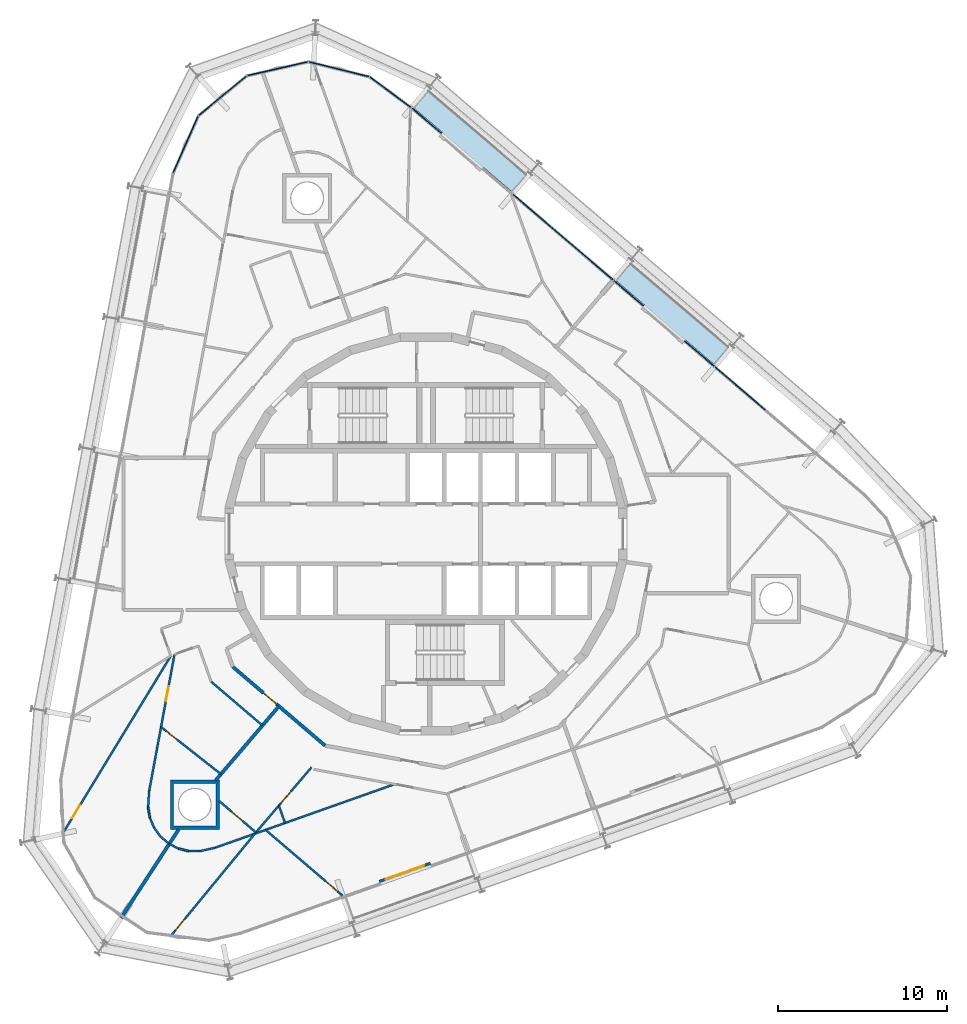
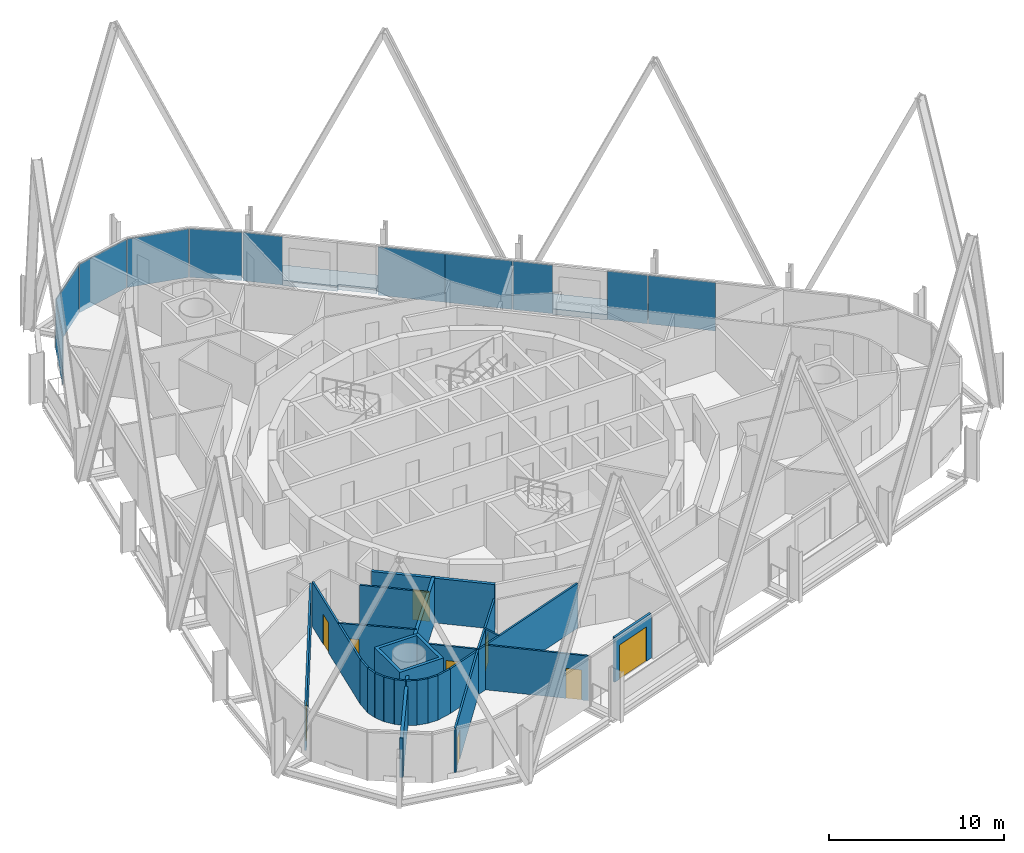
# One storey, part 10 of 17: 24 walls, 11 plates, 9 doors, 2 slabs, 9 openings, 2 elements without a shape of their own.
"""IFC4 building model written with IfcOpenShell, lengths in metres."""

from ifc_helpers import new_model, si_unit, direction, frame, frame_2d, origin, origin_2d, place, context, subcontext, project, spatial, polyline, rectangle, outline, extrude, material, layer, layer_set, type_object, element, fill, aggregate, save


model = new_model("IFC4")

# Units and contexts
model_context = context("Model", 3, precision=1e-05, world=origin(), true_north=direction((0.0, 1.0)))
body_context = subcontext(model_context, "Body", "Model", "MODEL_VIEW")
ifc_project = project(units=[si_unit("LENGTHUNIT", "METRE"), si_unit("AREAUNIT", "SQUARE_METRE"), si_unit("VOLUMEUNIT", "CUBIC_METRE"), si_unit("PLANEANGLEUNIT", "RADIAN"), si_unit("MASSUNIT", "GRAM", prefix="KILO")], contexts=[model_context])

# Site, building, storey
site_placement = place(None, origin())
site = spatial("IfcSite", under=ifc_project, at=site_placement, CompositionType="ELEMENT")
building_placement = place(site_placement, origin())
building = spatial("IfcBuilding", under=site, at=building_placement, Name="Spindle Arch Residences", CompositionType="ELEMENT")
storey_placement = place(building_placement, frame((0.0, 0.0, 165.699951171875)))
storey = spatial("IfcBuildingStorey", under=building, at=storey_placement, Name="L41", CompositionType="ELEMENT", Elevation=165.699951171875)

# Slabs
ifc_material_1 = material(Name="Concrete C40/50", Category="concrete")
ifc_layer_1 = layer(ifc_material_1, 0.3798828125)
ifc_layer_set_1 = layer_set([ifc_layer_1], Name="Balcony slab 380")
slab_type = type_object("IfcSlabType", Name="Balcony slab 380", PredefinedType="FLOOR", material=ifc_layer_set_1)
slab_1_placement = place(storey_placement, frame((0.0, 0.0, -0.3798828125)))
element("IfcSlab", 1, at=slab_1_placement, inside=storey, type_object=slab_type, Name="Balcony L41 bay 7", PredefinedType="FLOOR", context=body_context, shape_type="SweptSolid", body=[
    extrude(outline(polyline([(18.031494140625, 11.14208984375), (17.974365234375, 11.190673828125), (17.876953125, 11.07666015625), (12.128173828125, 15.986572265625), (12.2255859375, 16.1005859375), (12.168701171875, 16.1494140625), (11.200927734375, 15.016357421875), (12.915771484375, 13.5517578125), (12.811767578125, 13.43017578125), (15.2451171875, 11.351806640625), (15.34912109375, 11.4736328125), (17.063720703125, 10.009033203125), (18.031494140625, 11.14208984375)])), origin(), (0.0, 0.0, 1.0), 0.3798828125),
])
slab_2_placement = place(storey_placement, frame((0.0, 0.0, -0.3798828125)))
element("IfcSlab", 2, at=slab_2_placement, inside=storey, type_object=slab_type, Name="Balcony L41 bay 9", PredefinedType="FLOOR", context=body_context, shape_type="SweptSolid", body=[
    extrude(outline(polyline([(6.07763671875, 21.351318359375), (6.020751953125, 21.400146484375), (5.92333984375, 21.2861328125), (0.174560546875, 26.196044921875), (0.27197265625, 26.31005859375), (0.21484375, 26.358642578125), (-0.752685546875, 25.225830078125), (0.9619140625, 23.76123046875), (0.858154296875, 23.6396484375), (3.29150390625, 21.561279296875), (3.395263671875, 21.682861328125), (5.110107421875, 20.218505859375), (6.07763671875, 21.351318359375)])), origin(), (0.0, 0.0, 1.0), 0.3798828125),
])

# Curtain wall, plates
ifc_material_2 = material(Name="Aluminium bronze unitised frame with tinted glass", Category="aluminium")
ifc_layer_2 = layer(ifc_material_2, 0.159912109375)
ifc_layer_set_2 = layer_set([ifc_layer_2], Name="CW-C typical residential unitised wall")
curtain_wall_type_1 = type_object("IfcCurtainWallType", Name="CW-C typical residential unitised wall", PredefinedType="NOTDEFINED", material=ifc_layer_set_2)
curtain_wall_1_placement = place(storey_placement, origin())
curtain_wall_1 = element("IfcCurtainWall", 3, at=curtain_wall_1_placement, inside=storey, type_object=curtain_wall_type_1, Name="CW-C L41 run 2", PredefinedType="NOTDEFINED")
ifc_material_3 = material(Name="Tinted double glazing over aluminium faced non-combustible spandrel zone (K0)", Category="aluminium")
ifc_layer_3 = layer(ifc_material_3, 0.06005859375)
ifc_layer_set_3 = layer_set([ifc_layer_3], Name="Unitised glass panel with E 60 spandrel zone")
plate_type = type_object("IfcPlateType", Name="Unitised glass panel with E 60 spandrel zone", PredefinedType="CURTAIN_PANEL", material=ifc_layer_set_3)
plate_1_placement = place(storey_placement, frame((18.574462890625, 8.613525390625, -0.3798828125), z_axis=(0.0, 0.0, 1.0), x_axis=(-0.7604059656, 0.64944804833, 0.0)))
plate_1 = element("IfcPlate", 4, at=plate_1_placement, type_object=plate_type, Name="CW-C unit 05B", PredefinedType="CURTAIN_PANEL", context=body_context, shape_type="SweptSolid", body=[
    extrude(rectangle(XDim=3.900146484375, YDim=0.06005859375, at=origin_2d()), origin(), (0.0, 0.0, 1.0), 3.3798828125),
])
plate_2_placement = place(storey_placement, frame((16.171630859375, 10.665771484375, -0.3798828125), z_axis=(0.0, 0.0, 1.0), x_axis=(-0.7604059656, 0.64944804833, 0.0)))
plate_2 = element("IfcPlate", 5, at=plate_2_placement, type_object=plate_type, Name="CW-C unit 06L", PredefinedType="CURTAIN_PANEL", context=body_context, shape_type="SweptSolid", body=[
    extrude(rectangle(XDim=2.300048828125, YDim=0.06005859375, at=origin_2d()), origin(), (0.0, 0.0, 1.0), 3.3798828125),
])
plate_3_placement = place(storey_placement, frame((11.9892578125, 14.23779296875, -0.3798828125), z_axis=(0.0, 0.0, 1.0), x_axis=(-0.7604059656, 0.64944804833, 0.0)))
plate_3 = element("IfcPlate", 6, at=plate_3_placement, type_object=plate_type, Name="CW-C unit 06R", PredefinedType="CURTAIN_PANEL", context=body_context, shape_type="SweptSolid", body=[
    extrude(rectangle(XDim=2.300048828125, YDim=0.06005859375, at=origin_2d()), origin(), (0.0, 0.0, 1.0), 3.3798828125),
])
plate_4_placement = place(storey_placement, frame((9.58642578125, 16.2900390625, -0.3798828125), z_axis=(0.0, 0.0, 1.0), x_axis=(-0.7604059656, 0.64944804833, 0.0)))
plate_4 = element("IfcPlate", 7, at=plate_4_placement, type_object=plate_type, Name="CW-C unit 07A", PredefinedType="CURTAIN_PANEL", context=body_context, shape_type="SweptSolid", body=[
    extrude(rectangle(XDim=3.900146484375, YDim=0.06005859375, at=origin_2d()), origin(), (0.0, 0.0, 1.0), 3.3798828125),
])
plate_5_placement = place(storey_placement, frame((6.620849609375, 18.822998046875, -0.3798828125), z_axis=(0.0, 0.0, 1.0), x_axis=(-0.7604059656, 0.64944804833, 0.0)))
plate_5 = element("IfcPlate", 8, at=plate_5_placement, type_object=plate_type, Name="CW-C unit 07B", PredefinedType="CURTAIN_PANEL", context=body_context, shape_type="SweptSolid", body=[
    extrude(rectangle(XDim=3.900146484375, YDim=0.06005859375, at=origin_2d()), origin(), (0.0, 0.0, 1.0), 3.3798828125),
])
plate_6_placement = place(storey_placement, frame((0.03564453125, 24.447265625, -0.3798828125), z_axis=(0.0, 0.0, 1.0), x_axis=(-0.7604059656, 0.64944804833, 0.0)))
plate_6 = element("IfcPlate", 9, at=plate_6_placement, type_object=plate_type, Name="CW-C unit 08R", PredefinedType="CURTAIN_PANEL", context=body_context, shape_type="SweptSolid", body=[
    extrude(rectangle(XDim=2.300048828125, YDim=0.06005859375, at=origin_2d()), origin(), (0.0, 0.0, 1.0), 3.3798828125),
])
aggregate(curtain_wall_1, [plate_1, plate_2, plate_3, plate_4, plate_5, plate_6])

ifc_material_4 = material(Name="Aluminium bronze unitised frame with tinted glass", Category="aluminium")
ifc_layer_4 = layer(ifc_material_4, 0.159912109375)
ifc_layer_set_4 = layer_set([ifc_layer_4], Name="CW-D corner wall on the fillet arcs")
curtain_wall_type_2 = type_object("IfcCurtainWallType", Name="CW-D corner wall on the fillet arcs", PredefinedType="NOTDEFINED", material=ifc_layer_set_4)
curtain_wall_2_placement = place(storey_placement, origin())
curtain_wall_2 = element("IfcCurtainWall", 10, at=curtain_wall_2_placement, inside=storey, type_object=curtain_wall_type_2, Name="CW-D L41 run 3", PredefinedType="NOTDEFINED")
plate_7_placement = place(storey_placement, frame((-2.102294921875, 26.1298828125, -0.3798828125), z_axis=(0.0, 0.0, 1.0), x_axis=(-0.804365716131, 0.594134492109, 0.0)))
plate_7 = element("IfcPlate", 11, at=plate_7_placement, type_object=plate_type, Name="CW-D unit 00", PredefinedType="CURTAIN_PANEL", context=body_context, shape_type="SweptSolid", body=[
    extrude(rectangle(XDim=3.0244140625, YDim=0.06005859375, at=origin_2d()), origin(), (0.0, 0.0, 1.0), 3.3798828125),
])
plate_8_placement = place(storey_placement, frame((-5.152099609375, 27.49169921875, -0.3798828125), z_axis=(0.0, 0.0, 1.0), x_axis=(-0.970995342056, 0.239098401721, 0.0)))
plate_8 = element("IfcPlate", 12, at=plate_8_placement, type_object=plate_type, Name="CW-D unit 01", PredefinedType="CURTAIN_PANEL", context=body_context, shape_type="SweptSolid", body=[
    extrude(rectangle(XDim=3.666748046875, YDim=0.06005859375, at=origin_2d()), origin(), (0.0, 0.0, 1.0), 3.3798828125),
])
plate_9_placement = place(storey_placement, frame((-8.7783203125, 27.5234375, -0.3798828125), z_axis=(0.0, 0.0, 1.0), x_axis=(-0.975020297449, -0.222115779633, 0.0)))
plate_9 = element("IfcPlate", 13, at=plate_9_placement, type_object=plate_type, Name="CW-D unit 02", PredefinedType="CURTAIN_PANEL", context=body_context, shape_type="SweptSolid", body=[
    extrude(rectangle(XDim=3.666748046875, YDim=0.06005859375, at=origin_2d()), origin(), (0.0, 0.0, 1.0), 3.3798828125),
])
plate_10_placement = place(storey_placement, frame((-12.032958984375, 25.92431640625, -0.3798828125), z_axis=(0.0, 0.0, 1.0), x_axis=(-0.771624583032, -0.636078220709, 0.0)))
plate_10 = element("IfcPlate", 14, at=plate_10_placement, type_object=plate_type, Name="CW-D unit 03", PredefinedType="CURTAIN_PANEL", context=body_context, shape_type="SweptSolid", body=[
    extrude(rectangle(XDim=3.666748046875, YDim=0.06005859375, at=origin_2d()), origin(), (0.0, 0.0, 1.0), 3.3798828125),
])
plate_11_placement = place(storey_placement, frame((-14.2236328125, 23.034423828125, -0.3798828125), z_axis=(0.0, 0.0, 1.0), x_axis=(-0.404077526853, -0.914724741271, 0.0)))
plate_11 = element("IfcPlate", 15, at=plate_11_placement, type_object=plate_type, Name="CW-D unit 04", PredefinedType="CURTAIN_PANEL", context=body_context, shape_type="SweptSolid", body=[
    extrude(rectangle(XDim=3.666748046875, YDim=0.06005859375, at=origin_2d()), origin(), (0.0, 0.0, 1.0), 3.3798828125),
])
aggregate(curtain_wall_2, [plate_7, plate_8, plate_9, plate_10, plate_11])

# Wall, opening, door
ifc_material_5 = material(Name="Calcium silicate block, plastered")
ifc_layer_5 = layer(ifc_material_5, 0.199951171875)
ifc_layer_set_5 = layer_set([ifc_layer_5], Name="Corridor wall 200")
wall_type_1 = type_object("IfcWallType", Name="Corridor wall 200", PredefinedType="STANDARD", material=ifc_layer_set_5)
wall_1_placement = place(storey_placement, frame((-11.432861328125, -7.857666015625, 0.0), z_axis=(0.0, 0.0, 1.0), x_axis=(0.760412154545, -0.649440801937, 0.0)))
wall_1 = element("IfcWall", 16, at=wall_1_placement, inside=storey, type_object=wall_type_1, Name="Corridor wall R4B0-W016", PredefinedType="STANDARD", context=body_context, shape_type="SweptSolid", body=[
    extrude(rectangle(XDim=7.180908203125, YDim=0.199951171875, at=frame_2d((3.59033203125, 0.0))), origin(), (0.0, 0.0, 1.0), 3.1201171875),
])
opening_1_placement = place(wall_1_placement, frame((2.390380859375, 0.0, 0.0)))
opening_1 = element("IfcOpeningElement", 17, at=opening_1_placement, cuts=wall_1, Name="Opening R4B0-FD04", PredefinedType="OPENING", context=body_context, shape_type="SweptSolid", body=[
    extrude(rectangle(XDim=1.0, YDim=2.10009765625, at=frame_2d((0.5, 1.050048828125))), frame((0.0, 0.10986328125, 0.0), z_axis=(0.0, -1.0, 0.0), x_axis=(1.0, 0.0, 0.0)), (0.0, 0.0, 1.0), 0.219970703125),
])
ifc_material_6 = material(Name="Timber, fire-resisting door set", Category="wood")
door_type_1 = type_object("IfcDoorType", Name="Flat entrance door 1000x2100", OperationType="NOTDEFINED", PredefinedType="DOOR", material=ifc_material_6)
door_1_placement = place(opening_1_placement, origin())
door_1 = element("IfcDoor", 18, at=door_1_placement, inside=storey, type_object=door_type_1, Name="Flat entrance door R4B0-FD04", OperationType="SINGLE_SWING_RIGHT", OverallHeight=2.10009765625, OverallWidth=1.0, PredefinedType="DOOR", context=body_context, shape_type="SweptSolid", body=[
    extrude(rectangle(XDim=1.0, YDim=2.10009765625, at=frame_2d((0.5, 1.050048828125))), frame((0.0, 0.02490234375, 0.0), z_axis=(0.0, -1.0, 0.0), x_axis=(1.0, 0.0, 0.0)), (0.0, 0.0, 1.0), 0.050048828125),
])
fill(opening_1, door_1)

# Wall
ifc_material_7 = material(Name="Plasterboard on steel studs", Category="steel")
ifc_layer_6 = layer(ifc_material_7, 0.1201171875)
ifc_layer_set_6 = layer_set([ifc_layer_6], Name="Flat partition 120")
wall_type_2 = type_object("IfcWallType", Name="Flat partition 120", PredefinedType="PARTITIONING", material=ifc_layer_set_6)
wall_2_placement = place(storey_placement, frame((-12.712646484375, -8.7373046875, 0.0), z_axis=(0.0, 0.0, 1.0), x_axis=(0.760420863476, -0.649430604754, 0.0)))
element("IfcWall", 19, at=wall_2_placement, inside=storey, type_object=wall_type_2, Name="Flat partition R4B0-W089", PredefinedType="PARTITIONING", context=body_context, shape_type="SweptSolid", body=[
    extrude(rectangle(XDim=3.992431640625, YDim=0.1201171875, at=frame_2d((1.99609375, 0.0))), origin(), (0.0, 0.0, 1.0), 3.1201171875),
])

# Wall, opening, door
wall_3_placement = place(storey_placement, frame((-21.461181640625, -17.6708984375, 0.0), z_axis=(0.0, 0.0, 1.0), x_axis=(0.519791999186, 0.854292852353, 0.0)))
wall_3 = element("IfcWall", 20, at=wall_3_placement, inside=storey, type_object=wall_type_2, Name="Flat partition R4B0-W091", PredefinedType="PARTITIONING", context=body_context, shape_type="SweptSolid", body=[
    extrude(rectangle(XDim=12.2470703125, YDim=0.1201171875, at=frame_2d((6.12353515625, 0.0))), origin(), (0.0, 0.0, 1.0), 3.1201171875),
])
opening_2_placement = place(wall_3_placement, frame((1.0, 0.0, 0.0)))
opening_2 = element("IfcOpeningElement", 21, at=opening_2_placement, cuts=wall_3, Name="Opening R4B0-ID20", PredefinedType="OPENING", context=body_context, shape_type="SweptSolid", body=[
    extrude(rectangle(XDim=0.89990234375, YDim=2.10009765625, at=frame_2d((0.449951171875, 1.050048828125))), frame((0.0, 0.070068359375, 0.0), z_axis=(0.0, -1.0, 0.0), x_axis=(1.0, 0.0, 0.0)), (0.0, 0.0, 1.0), 0.14013671875),
])
ifc_material_8 = material(Name="Timber door set", Category="wood")
door_type_2 = type_object("IfcDoorType", Name="Room door 900x2100", OperationType="NOTDEFINED", PredefinedType="DOOR", material=ifc_material_8)
door_2_placement = place(opening_2_placement, origin())
door_2 = element("IfcDoor", 22, at=door_2_placement, inside=storey, type_object=door_type_2, Name="Room door R4B0-ID20", OperationType="SINGLE_SWING_LEFT", OverallHeight=2.10009765625, OverallWidth=0.89990234375, PredefinedType="DOOR", context=body_context, shape_type="SweptSolid", body=[
    extrude(rectangle(XDim=0.89990234375, YDim=2.10009765625, at=frame_2d((0.449951171875, 1.050048828125))), frame((0.0, 0.02490234375, 0.0), z_axis=(0.0, -1.0, 0.0), x_axis=(1.0, 0.0, 0.0)), (0.0, 0.0, 1.0), 0.050048828125),
])
fill(opening_2, door_2)

wall_4_placement = place(storey_placement, frame((-14.882080078125, -7.1328125, 0.0), z_axis=(0.0, 0.0, 1.0), x_axis=(-0.182231858218, -0.983255587246, 0.0)))
wall_4 = element("IfcWall", 23, at=wall_4_placement, inside=storey, type_object=wall_type_2, Name="Flat partition R4B0-W092", PredefinedType="PARTITIONING", context=body_context, shape_type="SweptSolid", body=[
    extrude(rectangle(XDim=8.215087890625, YDim=0.1201171875, at=frame_2d((4.107421875, 0.0))), origin(), (0.0, 0.0, 1.0), 3.1201171875),
])
opening_3_placement = place(wall_4_placement, frame((1.89990234375, 0.0, 0.0)))
opening_3 = element("IfcOpeningElement", 24, at=opening_3_placement, cuts=wall_4, Name="Opening R4B0-ID19", PredefinedType="OPENING", context=body_context, shape_type="SweptSolid", body=[
    extrude(rectangle(XDim=0.89990234375, YDim=2.10009765625, at=frame_2d((0.449951171875, 1.050048828125))), frame((0.0, 0.070068359375, 0.0), z_axis=(0.0, -1.0, 0.0), x_axis=(1.0, 0.0, 0.0)), (0.0, 0.0, 1.0), 0.14013671875),
])
door_3_placement = place(opening_3_placement, origin())
door_3 = element("IfcDoor", 25, at=door_3_placement, inside=storey, type_object=door_type_2, Name="Room door R4B0-ID19", OperationType="SINGLE_SWING_RIGHT", OverallHeight=2.10009765625, OverallWidth=0.89990234375, PredefinedType="DOOR", context=body_context, shape_type="SweptSolid", body=[
    extrude(rectangle(XDim=0.89990234375, YDim=2.10009765625, at=frame_2d((0.449951171875, 1.050048828125))), frame((0.0, 0.02490234375, 0.0), z_axis=(0.0, -1.0, 0.0), x_axis=(1.0, 0.0, 0.0)), (0.0, 0.0, 1.0), 0.050048828125),
])
fill(opening_3, door_3)

wall_5_placement = place(storey_placement, frame((-15.676513671875, -11.419921875, 0.0), z_axis=(0.0, 0.0, 1.0), x_axis=(0.785821888461, -0.618452875824, 0.0)))
wall_5 = element("IfcWall", 26, at=wall_5_placement, inside=storey, type_object=wall_type_2, Name="Flat partition R4B0-W093", PredefinedType="PARTITIONING", context=body_context, shape_type="SweptSolid", body=[
    extrude(rectangle(XDim=4.50732421875, YDim=0.1201171875, at=frame_2d((2.253662109375, 0.0))), origin(), (0.0, 0.0, 1.0), 3.1201171875),
])
opening_4_placement = place(wall_5_placement, frame((0.39990234375, 0.0, 0.0)))
opening_4 = element("IfcOpeningElement", 27, at=opening_4_placement, cuts=wall_5, Name="Opening R4B0-BD04", PredefinedType="OPENING", context=body_context, shape_type="SweptSolid", body=[
    extrude(rectangle(XDim=0.800048828125, YDim=2.10009765625, at=frame_2d((0.39990234375, 1.050048828125))), frame((0.0, 0.070068359375, 0.0), z_axis=(0.0, -1.0, 0.0), x_axis=(1.0, 0.0, 0.0)), (0.0, 0.0, 1.0), 0.14013671875),
])
ifc_material_9 = material(Name="Timber door set", Category="wood")
door_type_3 = type_object("IfcDoorType", Name="Bathroom door 800x2100", OperationType="NOTDEFINED", PredefinedType="DOOR", material=ifc_material_9)
door_4_placement = place(opening_4_placement, origin())
door_4 = element("IfcDoor", 28, at=door_4_placement, inside=storey, type_object=door_type_3, Name="Bathroom door R4B0-BD04", OperationType="SINGLE_SWING_RIGHT", OverallHeight=2.10009765625, OverallWidth=0.800048828125, PredefinedType="DOOR", context=body_context, shape_type="SweptSolid", body=[
    extrude(rectangle(XDim=0.800048828125, YDim=2.10009765625, at=frame_2d((0.39990234375, 1.050048828125))), frame((0.0, 0.02490234375, 0.0), z_axis=(0.0, -1.0, 0.0), x_axis=(1.0, 0.0, 0.0)), (0.0, 0.0, 1.0), 0.050048828125),
])
fill(opening_4, door_4)

# Walls
for number, where, z_axis, x_axis, name in (
    (29, (-15.220458984375, -18.315185546875, 0.0), (0.0, 0.0, 1.0), (-0.760275843649, 0.649600370662, 0.0), "Flat partition R4B0-W094"),
    (30, (-15.70849609375, -17.898193359375, 0.0), (0.0, 0.0, 1.0), (-0.590340795198, 0.807154102712, 0.0), "Flat partition R4B0-W095"),
):
    element("IfcWall", number, at=place(storey_placement, frame(where, z_axis=z_axis, x_axis=x_axis)), inside=storey, type_object=wall_type_2, Name=name, PredefinedType="PARTITIONING", context=body_context, shape_type="SweptSolid", body=[
        extrude(rectangle(XDim=0.641845703125, YDim=0.1201171875, at=frame_2d((0.32080078125, 0.0))), origin(), (0.0, 0.0, 1.0), 3.1201171875),
    ])
wall_6_placement = place(storey_placement, frame((-16.08740234375, -17.380126953125, 0.0), z_axis=(0.0, 0.0, 1.0), x_axis=(-0.387852998664, 0.921721243884, 0.0)))
element("IfcWall", 31, at=wall_6_placement, inside=storey, type_object=wall_type_2, Name="Flat partition R4B0-W096", PredefinedType="PARTITIONING", context=body_context, shape_type="SweptSolid", body=[
    extrude(rectangle(XDim=0.64208984375, YDim=0.1201171875, at=frame_2d((0.321044921875, 0.0))), origin(), (0.0, 0.0, 1.0), 3.1201171875),
])
wall_7_placement = place(storey_placement, frame((-16.33642578125, -16.788330078125, 0.0), z_axis=(0.0, 0.0, 1.0), x_axis=(-0.165077433319, 0.986280609669, 0.0)))
element("IfcWall", 32, at=wall_7_placement, inside=storey, type_object=wall_type_2, Name="Flat partition R4B0-W097", PredefinedType="PARTITIONING", context=body_context, shape_type="SweptSolid", body=[
    extrude(rectangle(XDim=0.641845703125, YDim=0.1201171875, at=frame_2d((0.32080078125, 0.0))), origin(), (0.0, 0.0, 1.0), 3.1201171875),
])
wall_8_placement = place(storey_placement, frame((-16.4423828125, -16.1552734375, 0.0), z_axis=(0.0, 0.0, 1.0), x_axis=(0.066775688713, 0.997768012815, 0.0)))
element("IfcWall", 33, at=wall_8_placement, inside=storey, type_object=wall_type_2, Name="Flat partition R4B0-W098", PredefinedType="PARTITIONING", context=body_context, shape_type="SweptSolid", body=[
    extrude(rectangle(XDim=0.947021484375, YDim=0.1201171875, at=frame_2d((0.4736328125, 0.0))), origin(), (0.0, 0.0, 1.0), 3.1201171875),
])

# Wall, opening, door
wall_9_placement = place(storey_placement, frame((-12.231201171875, -15.803955078125, 0.0), z_axis=(0.0, 0.0, 1.0), x_axis=(0.760403625387, -0.649450788357, 0.0)))
wall_9 = element("IfcWall", 34, at=wall_9_placement, inside=storey, type_object=wall_type_2, Name="Flat partition R4B0-W099", PredefinedType="PARTITIONING", context=body_context, shape_type="SweptSolid", body=[
    extrude(rectangle(XDim=2.851806640625, YDim=0.1201171875, at=frame_2d((1.42578125, 0.0))), origin(), (0.0, 0.0, 1.0), 3.1201171875),
])
opening_5_placement = place(wall_9_placement, frame((1.0, 0.0, 0.0)))
opening_5 = element("IfcOpeningElement", 35, at=opening_5_placement, cuts=wall_9, Name="Opening R4B0-BD05", PredefinedType="OPENING", context=body_context, shape_type="SweptSolid", body=[
    extrude(rectangle(XDim=0.800048828125, YDim=2.10009765625, at=frame_2d((0.39990234375, 1.050048828125))), frame((0.0, 0.070068359375, 0.0), z_axis=(0.0, -1.0, 0.0), x_axis=(1.0, 0.0, 0.0)), (0.0, 0.0, 1.0), 0.14013671875),
])
door_5_placement = place(opening_5_placement, origin())
door_5 = element("IfcDoor", 36, at=door_5_placement, inside=storey, type_object=door_type_3, Name="Bathroom door R4B0-BD05", OperationType="SINGLE_SWING_LEFT", OverallHeight=2.10009765625, OverallWidth=0.800048828125, PredefinedType="DOOR", context=body_context, shape_type="SweptSolid", body=[
    extrude(rectangle(XDim=0.800048828125, YDim=2.10009765625, at=frame_2d((0.39990234375, 1.050048828125))), frame((0.0, 0.02490234375, 0.0), z_axis=(0.0, -1.0, 0.0), x_axis=(1.0, 0.0, 0.0)), (0.0, 0.0, 1.0), 0.050048828125),
])
fill(opening_5, door_5)

wall_10_placement = place(storey_placement, frame((-10.062744140625, -17.656005859375, 0.0), z_axis=(0.0, 0.0, 1.0), x_axis=(0.649451567172, 0.760402960211, 0.0)))
wall_10 = element("IfcWall", 37, at=wall_10_placement, inside=storey, type_object=wall_type_2, Name="Flat partition R4B0-W100", PredefinedType="PARTITIONING", context=body_context, shape_type="SweptSolid", body=[
    extrude(rectangle(XDim=5.06103515625, YDim=0.1201171875, at=frame_2d((2.530517578125, 0.0))), origin(), (0.0, 0.0, 1.0), 3.1201171875),
])
opening_6_placement = place(wall_10_placement, frame((2.287841796875, 0.0, 0.0)))
opening_6 = element("IfcOpeningElement", 38, at=opening_6_placement, cuts=wall_10, Name="Opening R4B0-ID21", PredefinedType="OPENING", context=body_context, shape_type="SweptSolid", body=[
    extrude(rectangle(XDim=0.89990234375, YDim=2.10009765625, at=frame_2d((0.449951171875, 1.050048828125))), frame((0.0, 0.070068359375, 0.0), z_axis=(0.0, -1.0, 0.0), x_axis=(1.0, 0.0, 0.0)), (0.0, 0.0, 1.0), 0.14013671875),
])
door_6_placement = place(opening_6_placement, origin())
door_6 = element("IfcDoor", 39, at=door_6_placement, inside=storey, type_object=door_type_2, Name="Room door R4B0-ID21", OperationType="SINGLE_SWING_LEFT", OverallHeight=2.10009765625, OverallWidth=0.89990234375, PredefinedType="DOOR", context=body_context, shape_type="SweptSolid", body=[
    extrude(rectangle(XDim=0.89990234375, YDim=2.10009765625, at=frame_2d((0.449951171875, 1.050048828125))), frame((0.0, 0.02490234375, 0.0), z_axis=(0.0, -1.0, 0.0), x_axis=(1.0, 0.0, 0.0)), (0.0, 0.0, 1.0), 0.050048828125),
])
fill(opening_6, door_6)

# Walls
wall_11_placement = place(storey_placement, frame((-1.871337890625, -14.806884765625, 0.0), z_axis=(0.0, 0.0, 1.0), x_axis=(-0.942640759962, -0.333808923874, 0.0)))
element("IfcWall", 40, at=wall_11_placement, inside=storey, type_object=wall_type_2, Name="Flat partition R4B0-W103", PredefinedType="PARTITIONING", context=body_context, shape_type="SweptSolid", body=[
    extrude(rectangle(XDim=11.23388671875, YDim=0.1201171875, at=frame_2d((5.616943359375, 0.0))), origin(), (0.0, 0.0, 1.0), 3.1201171875),
])
wall_12_placement = place(storey_placement, frame((-12.4609375, -18.556884765625, 0.0), z_axis=(0.0, 0.0, 1.0), x_axis=(-0.975039040601, -0.222033486897, 0.0)))
element("IfcWall", 41, at=wall_12_placement, inside=storey, type_object=wall_type_2, Name="Flat partition R4B0-W104", PredefinedType="PARTITIONING", context=body_context, shape_type="SweptSolid", body=[
    extrude(rectangle(XDim=0.94677734375, YDim=0.1201171875, at=frame_2d((0.473388671875, 0.0))), origin(), (0.0, 0.0, 1.0), 3.1201171875),
])
wall_13_placement = place(storey_placement, frame((-13.384033203125, -18.76708984375, 0.0), z_axis=(0.0, 0.0, 1.0), x_axis=(-0.999965015064, 0.008364726362, 0.0)))
element("IfcWall", 42, at=wall_13_placement, inside=storey, type_object=wall_type_2, Name="Flat partition R4B0-W105", PredefinedType="PARTITIONING", context=body_context, shape_type="SweptSolid", body=[
    extrude(rectangle(XDim=0.64208984375, YDim=0.1201171875, at=frame_2d((0.321044921875, 0.0))), origin(), (0.0, 0.0, 1.0), 3.1201171875),
])
wall_14_placement = place(storey_placement, frame((-14.026123046875, -18.76171875, 0.0), z_axis=(0.0, 0.0, 1.0), x_axis=(-0.970964611728, 0.239223165208, 0.0)))
element("IfcWall", 43, at=wall_14_placement, inside=storey, type_object=wall_type_2, Name="Flat partition R4B0-W106", PredefinedType="PARTITIONING", context=body_context, shape_type="SweptSolid", body=[
    extrude(rectangle(XDim=0.641845703125, YDim=0.1201171875, at=frame_2d((0.32080078125, 0.0))), origin(), (0.0, 0.0, 1.0), 3.1201171875),
])
wall_15_placement = place(storey_placement, frame((-14.6494140625, -18.608154296875, 0.0), z_axis=(0.0, 0.0, 1.0), x_axis=(-0.889695551631, 0.456554296232, 0.0)))
element("IfcWall", 44, at=wall_15_placement, inside=storey, type_object=wall_type_2, Name="Flat partition R4B0-W107", PredefinedType="PARTITIONING", context=body_context, shape_type="SweptSolid", body=[
    extrude(rectangle(XDim=0.604736328125, YDim=0.1201171875, at=frame_2d((0.30224609375, 0.0))), origin(), (0.0, 0.0, 1.0), 3.1201171875),
])

# Wall, opening, door
wall_16_placement = place(storey_placement, frame((-15.146484375, -23.841064453125, 0.0), z_axis=(0.0, 0.0, 1.0), x_axis=(0.634970373647, 0.772536487547, 0.0)))
wall_16 = element("IfcWall", 45, at=wall_16_placement, inside=storey, type_object=wall_type_2, Name="Flat partition R4B0-W108", PredefinedType="PARTITIONING", context=body_context, shape_type="SweptSolid", body=[
    extrude(rectangle(XDim=7.91162109375, YDim=0.1201171875, at=frame_2d((3.955810546875, 0.0))), origin(), (0.0, 0.0, 1.0), 3.1201171875),
])
opening_7_placement = place(wall_16_placement, frame((0.5, 0.0, 0.0)))
opening_7 = element("IfcOpeningElement", 46, at=opening_7_placement, cuts=wall_16, Name="Opening R4B0-ID25", PredefinedType="OPENING", context=body_context, shape_type="SweptSolid", body=[
    extrude(rectangle(XDim=0.89990234375, YDim=2.10009765625, at=frame_2d((0.449951171875, 1.050048828125))), frame((0.0, 0.070068359375, 0.0), z_axis=(0.0, -1.0, 0.0), x_axis=(1.0, 0.0, 0.0)), (0.0, 0.0, 1.0), 0.14013671875),
])
door_7_placement = place(opening_7_placement, origin())
door_7 = element("IfcDoor", 47, at=door_7_placement, inside=storey, type_object=door_type_2, Name="Room door R4B0-ID25", OperationType="SINGLE_SWING_LEFT", OverallHeight=2.10009765625, OverallWidth=0.89990234375, PredefinedType="DOOR", context=body_context, shape_type="SweptSolid", body=[
    extrude(rectangle(XDim=0.89990234375, YDim=2.10009765625, at=frame_2d((0.449951171875, 1.050048828125))), frame((0.0, 0.02490234375, 0.0), z_axis=(0.0, -1.0, 0.0), x_axis=(1.0, 0.0, 0.0)), (0.0, 0.0, 1.0), 0.050048828125),
])
fill(opening_7, door_7)

# Wall
wall_17_placement = place(storey_placement, frame((-8.342041015625, -17.098388671875, 0.0), z_axis=(0.0, 0.0, 1.0), x_axis=(-0.333801646268, 0.942643337084, 0.0)))
element("IfcWall", 48, at=wall_17_placement, inside=storey, type_object=wall_type_2, Name="Flat partition R4B0-W109", PredefinedType="PARTITIONING", context=body_context, shape_type="SweptSolid", body=[
    extrude(rectangle(XDim=1.0927734375, YDim=0.1201171875, at=frame_2d((0.54638671875, 0.0))), origin(), (0.0, 0.0, 1.0), 3.1201171875),
])

# Wall, opening, door
wall_18_placement = place(storey_placement, frame((-4.927490234375, -21.405517578125, 0.0), z_axis=(0.0, 0.0, 1.0), x_axis=(-0.760409236665, 0.649444218385, 0.0)))
wall_18 = element("IfcWall", 49, at=wall_18_placement, inside=storey, type_object=wall_type_2, Name="Flat partition R4B0-W110", PredefinedType="PARTITIONING", context=body_context, shape_type="SweptSolid", body=[
    extrude(rectangle(XDim=6.004150390625, YDim=0.1201171875, at=frame_2d((3.001953125, 0.0))), origin(), (0.0, 0.0, 1.0), 3.1201171875),
])
opening_8_placement = place(wall_18_placement, frame((0.39990234375, 0.0, 0.0)))
opening_8 = element("IfcOpeningElement", 50, at=opening_8_placement, cuts=wall_18, Name="Opening R4B0-ID24", PredefinedType="OPENING", context=body_context, shape_type="SweptSolid", body=[
    extrude(rectangle(XDim=0.89990234375, YDim=2.10009765625, at=frame_2d((0.449951171875, 1.050048828125))), frame((0.0, 0.070068359375, 0.0), z_axis=(0.0, -1.0, 0.0), x_axis=(1.0, 0.0, 0.0)), (0.0, 0.0, 1.0), 0.14013671875),
])
door_8_placement = place(opening_8_placement, origin())
door_8 = element("IfcDoor", 51, at=door_8_placement, inside=storey, type_object=door_type_2, Name="Room door R4B0-ID24", OperationType="SINGLE_SWING_LEFT", OverallHeight=2.10009765625, OverallWidth=0.89990234375, PredefinedType="DOOR", context=body_context, shape_type="SweptSolid", body=[
    extrude(rectangle(XDim=0.89990234375, YDim=2.10009765625, at=frame_2d((0.449951171875, 1.050048828125))), frame((0.0, 0.02490234375, 0.0), z_axis=(0.0, -1.0, 0.0), x_axis=(1.0, 0.0, 0.0)), (0.0, 0.0, 1.0), 0.050048828125),
])
fill(opening_8, door_8)

# Walls
ifc_material_10 = material(Name="Calcium silicate block, plastered")
ifc_layer_7 = layer(ifc_material_10, 0.199951171875)
ifc_layer_set_7 = layer_set([ifc_layer_7], Name="Flat party wall 200")
wall_type_3 = type_object("IfcWallType", Name="Flat party wall 200", PredefinedType="STANDARD", material=ifc_layer_set_7)
wall_19_placement = place(storey_placement, frame((-12.44140625, -14.568603515625, 0.0), z_axis=(0.0, 0.0, 1.0), x_axis=(0.649446013128, 0.760407703822, 0.0)))
element("IfcWall", 52, at=wall_19_placement, inside=storey, type_object=wall_type_3, Name="Flat party wall R4B0-W035", PredefinedType="STANDARD", context=body_context, shape_type="SweptSolid", body=[
    extrude(rectangle(XDim=5.758056640625, YDim=0.199951171875, at=frame_2d((2.87890625, 0.0))), origin(), (0.0, 0.0, 1.0), 3.1201171875),
])
ifc_material_11 = material(Name="Calcium silicate block, plastered")
ifc_layer_8 = layer(ifc_material_11, 0.199951171875)
ifc_layer_set_8 = layer_set([ifc_layer_8], Name="Flat party wall 200 under beam 2730")
wall_type_4 = type_object("IfcWallType", Name="Flat party wall 200 under beam 2730", PredefinedType="STANDARD", material=ifc_layer_set_8)
wall_20_placement = place(storey_placement, frame((-18.039794921875, -22.712890625, 0.0), z_axis=(0.0, 0.0, 1.0), x_axis=(0.545628572271, 0.838027124335, 0.0)))
element("IfcWall", 53, at=wall_20_placement, inside=storey, type_object=wall_type_4, Name="Flat party wall R4B0-W036", PredefinedType="STANDARD", context=body_context, shape_type="SweptSolid", body=[
    extrude(rectangle(XDim=6.258056640625, YDim=0.199951171875, at=frame_2d((3.12890625, 0.0))), origin(), (0.0, 0.0, 1.0), 2.72998046875),
])

# Wall, opening, door
ifc_material_12 = material(Name="Non-combustible mineral wool insulated aluminium faced external wall (K0)", Category="aluminium")
ifc_layer_9 = layer(ifc_material_12, 0.159912109375)
ifc_layer_set_9 = layer_set([ifc_layer_9], Name="Insulated external wall panel 160")
wall_type_5 = type_object("IfcWallType", Name="Insulated external wall panel 160", PredefinedType="STANDARD", material=ifc_layer_set_9)
wall_21_placement = place(storey_placement, frame((-2.7578125, -20.55224609375, 0.0), z_axis=(0.0, 0.0, 1.0), x_axis=(0.94265323131, 0.333773704029, 0.0)))
wall_21 = element("IfcWall", 54, at=wall_21_placement, inside=storey, type_object=wall_type_5, Name="External wall L41 bay 21", PredefinedType="STANDARD", context=body_context, shape_type="SweptSolid", body=[
    extrude(rectangle(XDim=3.2001953125, YDim=0.159912109375, at=frame_2d((1.60009765625, 0.0))), origin(), (0.0, 0.0, 1.0), 3.1201171875),
])
opening_9_placement = place(wall_21_placement, frame((0.39990234375, 0.0, 0.0)))
opening_9 = element("IfcOpeningElement", 55, at=opening_9_placement, cuts=wall_21, Name="Opening BD21", PredefinedType="OPENING", context=body_context, shape_type="SweptSolid", body=[
    extrude(rectangle(XDim=2.39990234375, YDim=2.39990234375, at=frame_2d((1.199951171875, 1.199951171875))), frame((0.0, 0.08984375, 0.0), z_axis=(0.0, -1.0, 0.0), x_axis=(1.0, 0.0, 0.0)), (0.0, 0.0, 1.0), 0.179931640625),
])
ifc_material_13 = material(Name="Bronze aluminium frame, tinted double glazing", Category="aluminium")
door_type_4 = type_object("IfcDoorType", Name="Sliding glazed balcony door 2400x2400", OperationType="DOUBLE_DOOR_SLIDING", PredefinedType="DOOR", material=ifc_material_13)
door_9_placement = place(opening_9_placement, origin())
door_9 = element("IfcDoor", 56, at=door_9_placement, inside=storey, type_object=door_type_4, Name="Balcony door BD21", OperationType="DOUBLE_DOOR_SLIDING", OverallHeight=2.39990234375, OverallWidth=2.39990234375, PredefinedType="DOOR", context=body_context, shape_type="SweptSolid", body=[
    extrude(rectangle(XDim=2.39990234375, YDim=2.39990234375, at=frame_2d((1.199951171875, 1.199951171875))), frame((0.0, 0.02490234375, 0.0), z_axis=(0.0, -1.0, 0.0), x_axis=(1.0, 0.0, 0.0)), (0.0, 0.0, 1.0), 0.050048828125),
])
fill(opening_9, door_9)

# Wall
ifc_material_14 = material(Name="Calcium silicate block, plastered")
ifc_layer_10 = layer(ifc_material_14, 0.199951171875)
ifc_layer_set_10 = layer_set([ifc_layer_10], Name="Mega-column casing wall 200")
wall_type_6 = type_object("IfcWallType", Name="Mega-column casing wall 200", PredefinedType="STANDARD", material=ifc_layer_set_10)
wall_22_placement = place(storey_placement, origin())
element("IfcWall", 57, at=wall_22_placement, inside=storey, type_object=wall_type_6, Name="Mega-column casing wall R4B0-WC02", PredefinedType="STANDARD", context=body_context, shape_type="SweptSolid", body=[
    extrude(outline(polyline([(-12.231201171875, -14.568603515625), (-12.231201171875, -17.468505859375), (-15.131103515625, -17.468505859375), (-15.131103515625, -14.568603515625), (-12.231201171875, -14.568603515625)]), holes=[polyline([(-14.93115234375, -17.2685546875), (-12.43115234375, -17.2685546875), (-12.43115234375, -14.7685546875), (-14.93115234375, -14.7685546875), (-14.93115234375, -17.2685546875)])]), origin(), (0.0, 0.0, 1.0), 3.1201171875),
])

save(model, "model.ifc")
